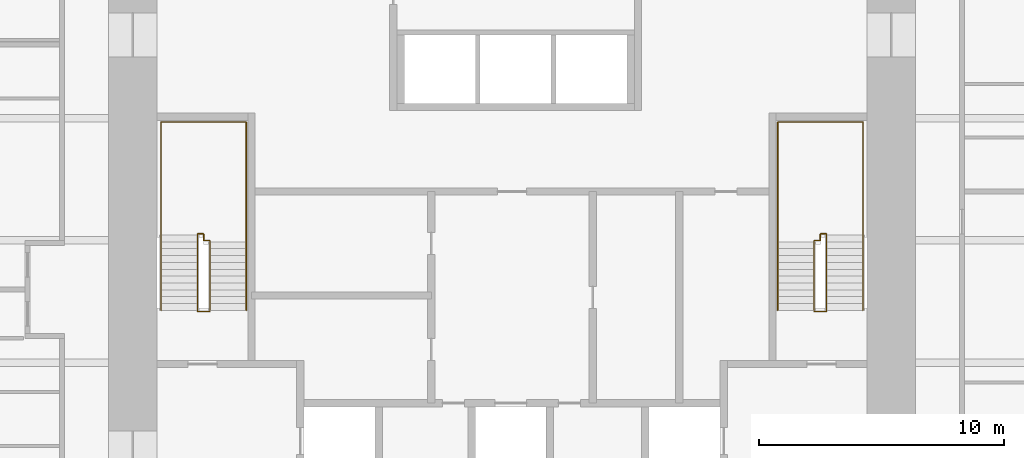
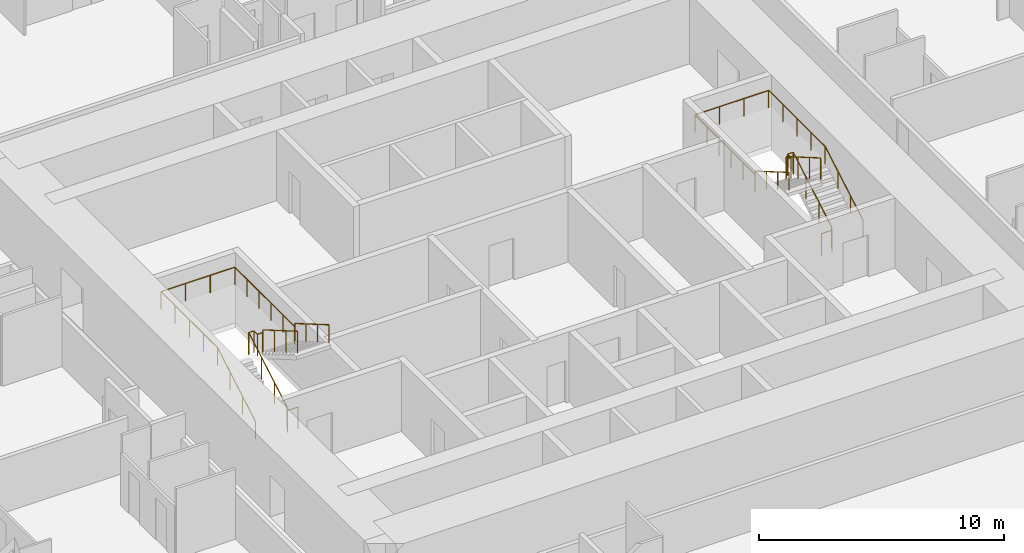
# One storey, part 17 of 17: 4 railings.
"""IFC4 building model written with IfcOpenShell, lengths in metres."""

from ifc_helpers import new_model, si_unit, direction, frame, origin, origin_2d, place, context, subcontext, project, spatial, circle, extrude, material, type_object, element, save


model = new_model("IFC4")

# Units and contexts
model_context = context("Model", 3, precision=1e-05, world=origin(), true_north=direction((0.0, 1.0)))
body_context = subcontext(model_context, "Body", "Model", "MODEL_VIEW")
ifc_project = project(units=[si_unit("LENGTHUNIT", "METRE"), si_unit("AREAUNIT", "SQUARE_METRE"), si_unit("VOLUMEUNIT", "CUBIC_METRE"), si_unit("PLANEANGLEUNIT", "RADIAN"), si_unit("MASSUNIT", "GRAM", prefix="KILO")], contexts=[model_context])

# Site, building, storey
site_placement = place(None, origin())
site = spatial("IfcSite", under=ifc_project, at=site_placement, CompositionType="ELEMENT")
building_placement = place(site_placement, origin())
building = spatial("IfcBuilding", under=site, at=building_placement, Name="Khuree Lantern Residences", CompositionType="ELEMENT")
storey_placement = place(building_placement, frame((0.0, 0.0, 51.0)))
storey = spatial("IfcBuildingStorey", under=building, at=storey_placement, Name="L12", CompositionType="ELEMENT", Elevation=51.0)

# Railings
ifc_material = material(Name="Steel S355", Category="steel")
railing_type_1 = type_object("IfcRailingType", Name="STAIR GUARD G1 1100", PredefinedType="GUARDRAIL", material=ifc_material)
railing_1_placement = place(storey_placement, frame((-12.35009765625, -2.909912109375, 0.0)))
element("IfcRailing", 1, at=railing_1_placement, inside=storey, type_object=railing_type_1, Name="Stair ST1 guard", PredefinedType="GUARDRAIL", context=body_context, shape_type="SweptSolid", body=[
    extrude(circle(Radius=0.02392578125, at=origin_2d()), frame((0.0, 0.0, 1.076171875), z_axis=(-1.0, 0.0, 0.0), x_axis=(0.0, -1.0, 0.0)), (0.0, 0.0, 1.0), 0.5),
    extrude(circle(Radius=0.02392578125, at=origin_2d()), frame((-0.5, 0.0, 1.076171875), z_axis=(0.0, 0.292073035251, 0.95639601739), x_axis=(-1.0, 0.0, 0.0)), (0.0, 0.0, 1.0), 0.17041015625),
    extrude(circle(Radius=0.02392578125, at=origin_2d()), frame((-0.5, 0.0498046875, 1.2392578125), z_axis=(0.0, 0.864176135923, 0.503189433615), x_axis=(-1.0, 0.0, 0.0)), (0.0, 0.0, 1.0), 3.564208984375),
    extrude(circle(Radius=0.02392578125, at=origin_2d()), frame((-0.5, 3.1298828125, 3.03271484375), z_axis=(0.0, 1.0, 0.0), x_axis=(-1.0, 0.0, 0.0)), (0.0, 0.0, 1.0), 0.050048828125),
    extrude(circle(Radius=0.02392578125, at=origin_2d()), frame((-0.5, 3.179931640625, 3.03271484375), z_axis=(1.0, 0.0, 0.0), x_axis=(0.0, 1.0, 0.0)), (0.0, 0.0, 1.0), 0.25),
    extrude(circle(Radius=0.02392578125, at=origin_2d()), frame((-0.25, 3.179931640625, 3.03271484375), z_axis=(0.0, -1.0, 0.0), x_axis=(1.0, 0.0, 0.0)), (0.0, 0.0, 1.0), 0.280029296875),
    extrude(circle(Radius=0.02392578125, at=origin_2d()), frame((-0.25, 2.89990234375, 3.03271484375), z_axis=(1.0, 0.0, 0.0), x_axis=(0.0, 1.0, 0.0)), (0.0, 0.0, 1.0), 0.25),
    extrude(circle(Radius=0.02392578125, at=origin_2d()), frame((0.0, 2.89990234375, 3.03271484375), z_axis=(0.0, -0.293381807449, 0.955995353053), x_axis=(1.0, 0.0, 0.0)), (0.0, 0.0, 1.0), 0.170654296875),
    extrude(circle(Radius=0.02392578125, at=origin_2d()), frame((0.0, 2.849853515625, 3.19580078125), z_axis=(0.0, -0.864180358799, 0.503182181189), x_axis=(1.0, 0.0, 0.0)), (0.0, 0.0, 1.0), 3.240234375),
    extrude(circle(Radius=0.02099609375, at=origin_2d()), origin(), (0.0, 0.0, 1.0), 1.052001953125),
    extrude(circle(Radius=0.02099609375, at=origin_2d()), frame((-0.5, 0.0, 0.0)), (0.0, 0.0, 1.0), 1.052001953125),
    extrude(circle(Radius=0.02099609375, at=origin_2d()), frame((-0.5, 0.0498046875, 0.1630859375)), (0.0, 0.0, 1.0), 1.052001953125),
    extrude(circle(Radius=0.02099609375, at=origin_2d()), frame((-0.5, 1.076416015625, 0.760986328125)), (0.0, 0.0, 1.0), 1.052001953125),
    extrude(circle(Radius=0.02099609375, at=origin_2d()), frame((-0.5, 2.103271484375, 1.358642578125)), (0.0, 0.0, 1.0), 1.052001953125),
    extrude(circle(Radius=0.02099609375, at=origin_2d()), frame((-0.5, 3.1298828125, 1.95654296875)), (0.0, 0.0, 1.0), 1.052001953125),
    extrude(circle(Radius=0.02099609375, at=origin_2d()), frame((-0.5, 3.179931640625, 1.95654296875)), (0.0, 0.0, 1.0), 1.052001953125),
    extrude(circle(Radius=0.02099609375, at=origin_2d()), frame((-0.25, 3.179931640625, 1.95654296875)), (0.0, 0.0, 1.0), 1.052001953125),
    extrude(circle(Radius=0.02099609375, at=origin_2d()), frame((-0.25, 2.89990234375, 1.95654296875)), (0.0, 0.0, 1.0), 1.052001953125),
    extrude(circle(Radius=0.02099609375, at=origin_2d()), frame((0.0, 2.89990234375, 1.95654296875)), (0.0, 0.0, 1.0), 1.052001953125),
    extrude(circle(Radius=0.02099609375, at=origin_2d()), frame((0.0, 2.849853515625, 2.11962890625)), (0.0, 0.0, 1.0), 1.052001953125),
    extrude(circle(Radius=0.02099609375, at=origin_2d()), frame((0.0, 1.91650390625, 2.6630859375)), (0.0, 0.0, 1.0), 1.052001953125),
    extrude(circle(Radius=0.02099609375, at=origin_2d()), frame((0.0, 0.983154296875, 3.20654296875)), (0.0, 0.0, 1.0), 1.052001953125),
    extrude(circle(Radius=0.02099609375, at=origin_2d()), frame((0.0, 0.0498046875, 3.75)), (0.0, 0.0, 1.0), 1.052001953125),
])
railing_2_placement = place(storey_placement, frame((12.35009765625, -2.909912109375, 0.0)))
element("IfcRailing", 2, at=railing_2_placement, inside=storey, type_object=railing_type_1, Name="Stair ST2 guard", PredefinedType="GUARDRAIL", context=body_context, shape_type="SweptSolid", body=[
    extrude(circle(Radius=0.02392578125, at=origin_2d()), frame((0.0, 0.0, 1.076171875), z_axis=(1.0, 0.0, 0.0), x_axis=(0.0, 1.0, 0.0)), (0.0, 0.0, 1.0), 0.5),
    extrude(circle(Radius=0.02392578125, at=origin_2d()), frame((0.5, 0.0, 1.076171875), z_axis=(0.0, 0.292073035251, 0.95639601739), x_axis=(-1.0, 0.0, 0.0)), (0.0, 0.0, 1.0), 0.17041015625),
    extrude(circle(Radius=0.02392578125, at=origin_2d()), frame((0.5, 0.0498046875, 1.2392578125), z_axis=(0.0, 0.864176135923, 0.503189433615), x_axis=(-1.0, 0.0, 0.0)), (0.0, 0.0, 1.0), 3.564208984375),
    extrude(circle(Radius=0.02392578125, at=origin_2d()), frame((0.5, 3.1298828125, 3.03271484375), z_axis=(0.0, 1.0, 0.0), x_axis=(-1.0, 0.0, 0.0)), (0.0, 0.0, 1.0), 0.050048828125),
    extrude(circle(Radius=0.02392578125, at=origin_2d()), frame((0.5, 3.179931640625, 3.03271484375), z_axis=(-1.0, 0.0, 0.0), x_axis=(0.0, -1.0, 0.0)), (0.0, 0.0, 1.0), 0.25),
    extrude(circle(Radius=0.02392578125, at=origin_2d()), frame((0.25, 3.179931640625, 3.03271484375), z_axis=(0.0, -1.0, 0.0), x_axis=(1.0, 0.0, 0.0)), (0.0, 0.0, 1.0), 0.280029296875),
    extrude(circle(Radius=0.02392578125, at=origin_2d()), frame((0.25, 2.89990234375, 3.03271484375), z_axis=(-1.0, 0.0, 0.0), x_axis=(0.0, -1.0, 0.0)), (0.0, 0.0, 1.0), 0.25),
    extrude(circle(Radius=0.02392578125, at=origin_2d()), frame((0.0, 2.89990234375, 3.03271484375), z_axis=(0.0, -0.293381807449, 0.955995353053), x_axis=(1.0, 0.0, 0.0)), (0.0, 0.0, 1.0), 0.170654296875),
    extrude(circle(Radius=0.02392578125, at=origin_2d()), frame((0.0, 2.849853515625, 3.19580078125), z_axis=(0.0, -0.864180358799, 0.503182181189), x_axis=(1.0, 0.0, 0.0)), (0.0, 0.0, 1.0), 3.240234375),
    extrude(circle(Radius=0.02099609375, at=origin_2d()), origin(), (0.0, 0.0, 1.0), 1.052001953125),
    extrude(circle(Radius=0.02099609375, at=origin_2d()), frame((0.5, 0.0, 0.0)), (0.0, 0.0, 1.0), 1.052001953125),
    extrude(circle(Radius=0.02099609375, at=origin_2d()), frame((0.5, 0.0498046875, 0.1630859375)), (0.0, 0.0, 1.0), 1.052001953125),
    extrude(circle(Radius=0.02099609375, at=origin_2d()), frame((0.5, 1.076416015625, 0.760986328125)), (0.0, 0.0, 1.0), 1.052001953125),
    extrude(circle(Radius=0.02099609375, at=origin_2d()), frame((0.5, 2.103271484375, 1.358642578125)), (0.0, 0.0, 1.0), 1.052001953125),
    extrude(circle(Radius=0.02099609375, at=origin_2d()), frame((0.5, 3.1298828125, 1.95654296875)), (0.0, 0.0, 1.0), 1.052001953125),
    extrude(circle(Radius=0.02099609375, at=origin_2d()), frame((0.5, 3.179931640625, 1.95654296875)), (0.0, 0.0, 1.0), 1.052001953125),
    extrude(circle(Radius=0.02099609375, at=origin_2d()), frame((0.25, 3.179931640625, 1.95654296875)), (0.0, 0.0, 1.0), 1.052001953125),
    extrude(circle(Radius=0.02099609375, at=origin_2d()), frame((0.25, 2.89990234375, 1.95654296875)), (0.0, 0.0, 1.0), 1.052001953125),
    extrude(circle(Radius=0.02099609375, at=origin_2d()), frame((0.0, 2.89990234375, 1.95654296875)), (0.0, 0.0, 1.0), 1.052001953125),
    extrude(circle(Radius=0.02099609375, at=origin_2d()), frame((0.0, 2.849853515625, 2.11962890625)), (0.0, 0.0, 1.0), 1.052001953125),
    extrude(circle(Radius=0.02099609375, at=origin_2d()), frame((0.0, 1.91650390625, 2.6630859375)), (0.0, 0.0, 1.0), 1.052001953125),
    extrude(circle(Radius=0.02099609375, at=origin_2d()), frame((0.0, 0.983154296875, 3.20654296875)), (0.0, 0.0, 1.0), 1.052001953125),
    extrude(circle(Radius=0.02099609375, at=origin_2d()), frame((0.0, 0.0498046875, 3.75)), (0.0, 0.0, 1.0), 1.052001953125),
])
railing_type_2 = type_object("IfcRailingType", Name="STAIR HANDRAIL H1 900", PredefinedType="HANDRAIL", material=ifc_material)
railing_3_placement = place(storey_placement, frame((-14.340087890625, -2.860107421875, 0.1630859375)))
element("IfcRailing", 3, at=railing_3_placement, inside=storey, type_object=railing_type_2, Name="Stair ST1 handrail", PredefinedType="HANDRAIL", context=body_context, shape_type="SweptSolid", body=[
    extrude(circle(Radius=0.02392578125, at=origin_2d()), frame((0.0, 0.0, 0.8759765625), z_axis=(0.0, 0.864176135923, 0.503189433615), x_axis=(-1.0, 0.0, 0.0)), (0.0, 0.0, 1.0), 3.564208984375),
    extrude(circle(Radius=0.02392578125, at=origin_2d()), frame((0.0, 3.080078125, 2.66943359375), z_axis=(0.0, 1.0, 0.0), x_axis=(-1.0, 0.0, 0.0)), (0.0, 0.0, 1.0), 4.6201171875),
    extrude(circle(Radius=0.02392578125, at=origin_2d()), frame((0.0, 7.7001953125, 2.66943359375), z_axis=(1.0, 0.0, 0.0), x_axis=(0.0, 1.0, 0.0)), (0.0, 0.0, 1.0), 3.47998046875),
    extrude(circle(Radius=0.02392578125, at=origin_2d()), frame((3.47998046875, 7.7001953125, 2.66943359375), z_axis=(0.0, -1.0, 0.0), x_axis=(1.0, 0.0, 0.0)), (0.0, 0.0, 1.0), 4.900146484375),
    extrude(circle(Radius=0.02392578125, at=origin_2d()), frame((3.47998046875, 2.800048828125, 2.66943359375), z_axis=(0.0, 0.0, 1.0), x_axis=(1.0, 0.0, 0.0)), (0.0, 0.0, 1.0), 0.1630859375),
    extrude(circle(Radius=0.02392578125, at=origin_2d()), frame((3.47998046875, 2.800048828125, 2.83251953125), z_axis=(0.0, -0.864180358799, 0.503182181189), x_axis=(1.0, 0.0, 0.0)), (0.0, 0.0, 1.0), 3.240234375),
    extrude(circle(Radius=0.02099609375, at=origin_2d()), origin(), (0.0, 0.0, 1.0), 0.851806640625),
    extrude(circle(Radius=0.02099609375, at=origin_2d()), frame((0.0, 1.026611328125, 0.597900390625)), (0.0, 0.0, 1.0), 0.851806640625),
    extrude(circle(Radius=0.02099609375, at=origin_2d()), frame((0.0, 2.053466796875, 1.195556640625)), (0.0, 0.0, 1.0), 0.851806640625),
    extrude(circle(Radius=0.02099609375, at=origin_2d()), frame((0.0, 3.080078125, 1.79345703125)), (0.0, 0.0, 1.0), 0.851806640625),
    extrude(circle(Radius=0.02099609375, at=origin_2d()), frame((0.0, 4.235107421875, 1.79345703125)), (0.0, 0.0, 1.0), 0.851806640625),
    extrude(circle(Radius=0.02099609375, at=origin_2d()), frame((0.0, 5.39013671875, 1.79345703125)), (0.0, 0.0, 1.0), 0.851806640625),
    extrude(circle(Radius=0.02099609375, at=origin_2d()), frame((0.0, 6.545166015625, 1.79345703125)), (0.0, 0.0, 1.0), 0.851806640625),
    extrude(circle(Radius=0.02099609375, at=origin_2d()), frame((0.0, 7.7001953125, 1.79345703125)), (0.0, 0.0, 1.0), 0.851806640625),
    extrude(circle(Radius=0.02099609375, at=origin_2d()), frame((1.159912109375, 7.7001953125, 1.79345703125)), (0.0, 0.0, 1.0), 0.851806640625),
    extrude(circle(Radius=0.02099609375, at=origin_2d()), frame((2.320068359375, 7.7001953125, 1.79345703125)), (0.0, 0.0, 1.0), 0.851806640625),
    extrude(circle(Radius=0.02099609375, at=origin_2d()), frame((3.47998046875, 7.7001953125, 1.79345703125)), (0.0, 0.0, 1.0), 0.851806640625),
    extrude(circle(Radius=0.02099609375, at=origin_2d()), frame((3.47998046875, 6.72021484375, 1.79345703125)), (0.0, 0.0, 1.0), 0.851806640625),
    extrude(circle(Radius=0.02099609375, at=origin_2d()), frame((3.47998046875, 5.740234375, 1.79345703125)), (0.0, 0.0, 1.0), 0.851806640625),
    extrude(circle(Radius=0.02099609375, at=origin_2d()), frame((3.47998046875, 4.760009765625, 1.79345703125)), (0.0, 0.0, 1.0), 0.851806640625),
    extrude(circle(Radius=0.02099609375, at=origin_2d()), frame((3.47998046875, 3.780029296875, 1.79345703125)), (0.0, 0.0, 1.0), 0.851806640625),
    extrude(circle(Radius=0.02099609375, at=origin_2d()), frame((3.47998046875, 2.800048828125, 1.79345703125)), (0.0, 0.0, 1.0), 0.851806640625),
    extrude(circle(Radius=0.02099609375, at=origin_2d()), frame((3.47998046875, 2.800048828125, 1.95654296875)), (0.0, 0.0, 1.0), 0.851806640625),
    extrude(circle(Radius=0.02099609375, at=origin_2d()), frame((3.47998046875, 1.86669921875, 2.5)), (0.0, 0.0, 1.0), 0.851806640625),
    extrude(circle(Radius=0.02099609375, at=origin_2d()), frame((3.47998046875, 0.933349609375, 3.04345703125)), (0.0, 0.0, 1.0), 0.851806640625),
    extrude(circle(Radius=0.02099609375, at=origin_2d()), frame((3.47998046875, 0.0, 3.5869140625)), (0.0, 0.0, 1.0), 0.851806640625),
])
railing_4_placement = place(storey_placement, frame((14.340087890625, -2.860107421875, 0.1630859375)))
element("IfcRailing", 4, at=railing_4_placement, inside=storey, type_object=railing_type_2, Name="Stair ST2 handrail", PredefinedType="HANDRAIL", context=body_context, shape_type="SweptSolid", body=[
    extrude(circle(Radius=0.02392578125, at=origin_2d()), frame((0.0, 0.0, 0.8759765625), z_axis=(0.0, 0.864176135923, 0.503189433615), x_axis=(-1.0, 0.0, 0.0)), (0.0, 0.0, 1.0), 3.564208984375),
    extrude(circle(Radius=0.02392578125, at=origin_2d()), frame((0.0, 3.080078125, 2.66943359375), z_axis=(0.0, 1.0, 0.0), x_axis=(-1.0, 0.0, 0.0)), (0.0, 0.0, 1.0), 4.6201171875),
    extrude(circle(Radius=0.02392578125, at=origin_2d()), frame((0.0, 7.7001953125, 2.66943359375), z_axis=(-1.0, 0.0, 0.0), x_axis=(0.0, -1.0, 0.0)), (0.0, 0.0, 1.0), 3.47998046875),
    extrude(circle(Radius=0.02392578125, at=origin_2d()), frame((-3.47998046875, 7.7001953125, 2.66943359375), z_axis=(0.0, -1.0, 0.0), x_axis=(1.0, 0.0, 0.0)), (0.0, 0.0, 1.0), 4.900146484375),
    extrude(circle(Radius=0.02392578125, at=origin_2d()), frame((-3.47998046875, 2.800048828125, 2.66943359375), z_axis=(0.0, 0.0, 1.0), x_axis=(1.0, 0.0, 0.0)), (0.0, 0.0, 1.0), 0.1630859375),
    extrude(circle(Radius=0.02392578125, at=origin_2d()), frame((-3.47998046875, 2.800048828125, 2.83251953125), z_axis=(0.0, -0.864180358799, 0.503182181189), x_axis=(1.0, 0.0, 0.0)), (0.0, 0.0, 1.0), 3.240234375),
    extrude(circle(Radius=0.02099609375, at=origin_2d()), origin(), (0.0, 0.0, 1.0), 0.851806640625),
    extrude(circle(Radius=0.02099609375, at=origin_2d()), frame((0.0, 1.026611328125, 0.597900390625)), (0.0, 0.0, 1.0), 0.851806640625),
    extrude(circle(Radius=0.02099609375, at=origin_2d()), frame((0.0, 2.053466796875, 1.195556640625)), (0.0, 0.0, 1.0), 0.851806640625),
    extrude(circle(Radius=0.02099609375, at=origin_2d()), frame((0.0, 3.080078125, 1.79345703125)), (0.0, 0.0, 1.0), 0.851806640625),
    extrude(circle(Radius=0.02099609375, at=origin_2d()), frame((0.0, 4.235107421875, 1.79345703125)), (0.0, 0.0, 1.0), 0.851806640625),
    extrude(circle(Radius=0.02099609375, at=origin_2d()), frame((0.0, 5.39013671875, 1.79345703125)), (0.0, 0.0, 1.0), 0.851806640625),
    extrude(circle(Radius=0.02099609375, at=origin_2d()), frame((0.0, 6.545166015625, 1.79345703125)), (0.0, 0.0, 1.0), 0.851806640625),
    extrude(circle(Radius=0.02099609375, at=origin_2d()), frame((0.0, 7.7001953125, 1.79345703125)), (0.0, 0.0, 1.0), 0.851806640625),
    extrude(circle(Radius=0.02099609375, at=origin_2d()), frame((-1.159912109375, 7.7001953125, 1.79345703125)), (0.0, 0.0, 1.0), 0.851806640625),
    extrude(circle(Radius=0.02099609375, at=origin_2d()), frame((-2.320068359375, 7.7001953125, 1.79345703125)), (0.0, 0.0, 1.0), 0.851806640625),
    extrude(circle(Radius=0.02099609375, at=origin_2d()), frame((-3.47998046875, 7.7001953125, 1.79345703125)), (0.0, 0.0, 1.0), 0.851806640625),
    extrude(circle(Radius=0.02099609375, at=origin_2d()), frame((-3.47998046875, 6.72021484375, 1.79345703125)), (0.0, 0.0, 1.0), 0.851806640625),
    extrude(circle(Radius=0.02099609375, at=origin_2d()), frame((-3.47998046875, 5.740234375, 1.79345703125)), (0.0, 0.0, 1.0), 0.851806640625),
    extrude(circle(Radius=0.02099609375, at=origin_2d()), frame((-3.47998046875, 4.760009765625, 1.79345703125)), (0.0, 0.0, 1.0), 0.851806640625),
    extrude(circle(Radius=0.02099609375, at=origin_2d()), frame((-3.47998046875, 3.780029296875, 1.79345703125)), (0.0, 0.0, 1.0), 0.851806640625),
    extrude(circle(Radius=0.02099609375, at=origin_2d()), frame((-3.47998046875, 2.800048828125, 1.79345703125)), (0.0, 0.0, 1.0), 0.851806640625),
    extrude(circle(Radius=0.02099609375, at=origin_2d()), frame((-3.47998046875, 2.800048828125, 1.95654296875)), (0.0, 0.0, 1.0), 0.851806640625),
    extrude(circle(Radius=0.02099609375, at=origin_2d()), frame((-3.47998046875, 1.86669921875, 2.5)), (0.0, 0.0, 1.0), 0.851806640625),
    extrude(circle(Radius=0.02099609375, at=origin_2d()), frame((-3.47998046875, 0.933349609375, 3.04345703125)), (0.0, 0.0, 1.0), 0.851806640625),
    extrude(circle(Radius=0.02099609375, at=origin_2d()), frame((-3.47998046875, 0.0, 3.5869140625)), (0.0, 0.0, 1.0), 0.851806640625),
])

save(model, "model.ifc")
